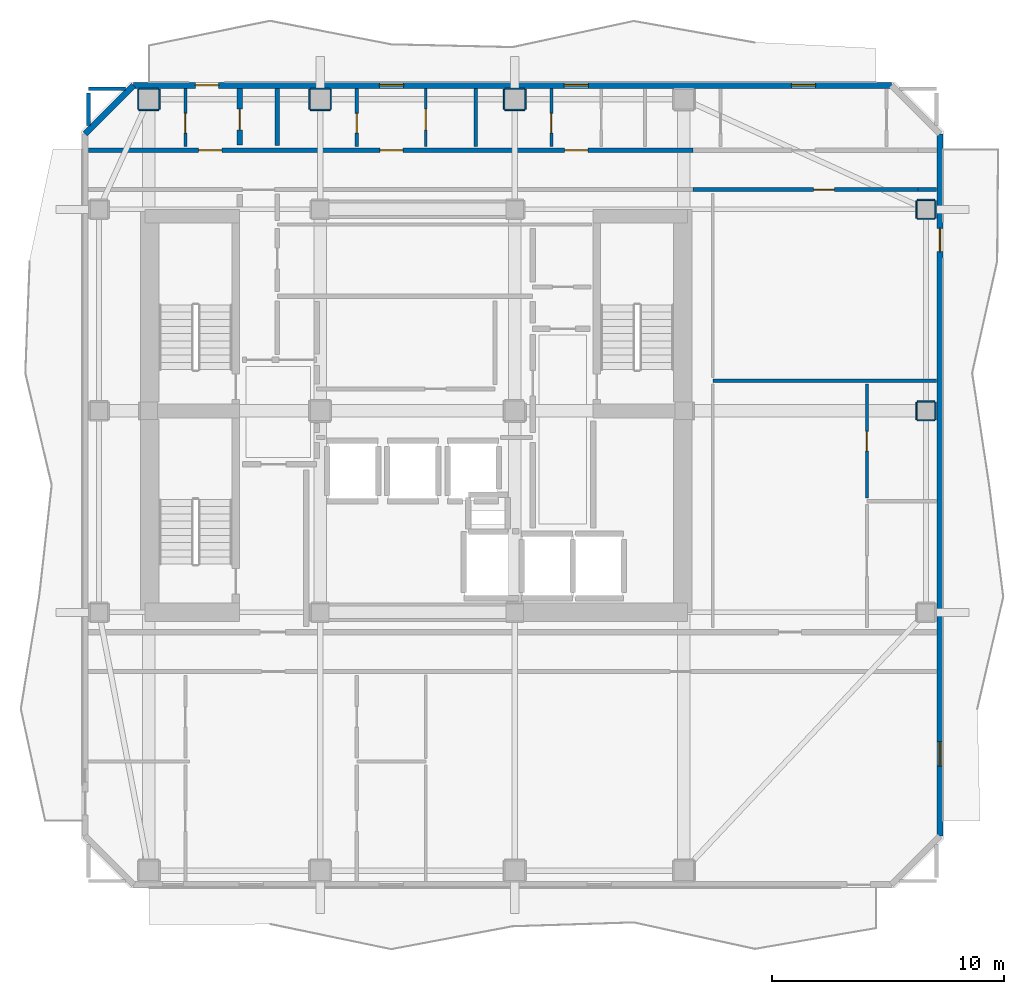
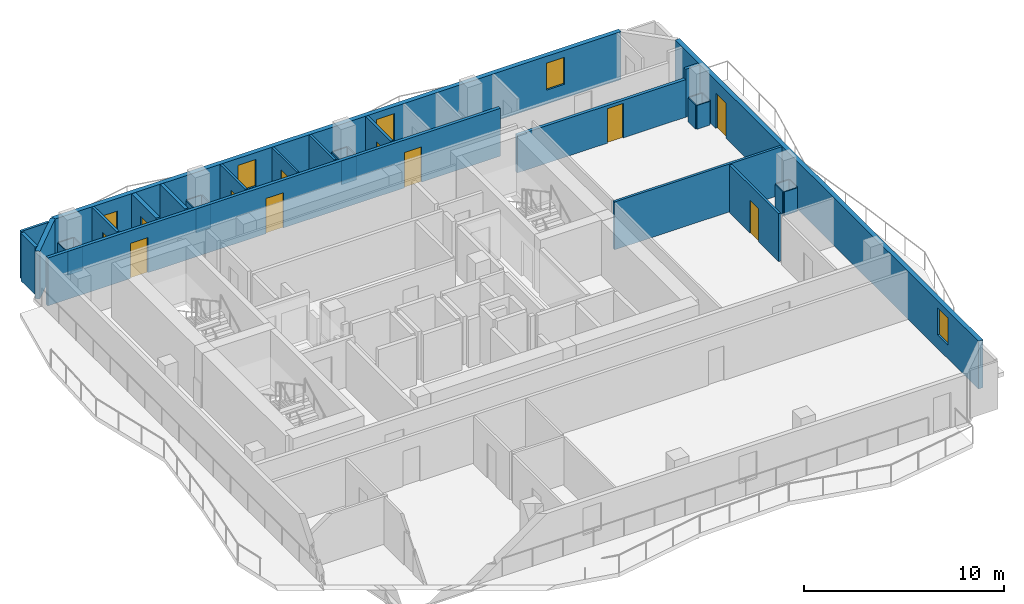
# One storey, part 5 of 9: 37 walls, 12 doors, 4 windows, 16 openings.
"""IFC4 building model written with IfcOpenShell, lengths in metres."""

from ifc_helpers import new_model, si_unit, direction, frame, frame_2d, origin, place, context, subcontext, project, spatial, rectangle, extrude, material, layer, layer_set, type_object, element, fill, save


model = new_model("IFC4")

# Units and contexts
model_context = context("Model", 3, precision=1e-05, world=origin(), true_north=direction((0.0, 1.0)))
body_context = subcontext(model_context, "Body", "Model", "MODEL_VIEW")
ifc_project = project(units=[si_unit("LENGTHUNIT", "METRE"), si_unit("AREAUNIT", "SQUARE_METRE"), si_unit("VOLUMEUNIT", "CUBIC_METRE"), si_unit("PLANEANGLEUNIT", "RADIAN"), si_unit("MASSUNIT", "GRAM", prefix="KILO")], contexts=[model_context])

# Site, building, storey
site_placement = place(None, origin())
site = spatial("IfcSite", under=ifc_project, at=site_placement, CompositionType="ELEMENT")
building_placement = place(site_placement, origin())
building = spatial("IfcBuilding", under=site, at=building_placement, Name="Solanera Arch Residences", CompositionType="ELEMENT")
storey_placement = place(building_placement, frame((0.0, 0.0, 223.360107421875)))
storey = spatial("IfcBuildingStorey", under=building, at=storey_placement, Name="L65", CompositionType="ELEMENT", Elevation=223.360107421875)

# Walls
ifc_material_1 = material(Name="Fire-Rated Gypsum Stud Partition", Category="gypsum")
ifc_layer_1 = layer(ifc_material_1, 0.06005859375)
ifc_layer_set_1 = layer_set([ifc_layer_1], Name="Fire-Rated Gypsum Stud Partition")
wall_type_1 = type_object("IfcWallType", Name="Column Acoustic Furring Wall 60", PredefinedType="PARTITIONING", material=ifc_layer_set_1)
for number, where, z_axis, x_axis, name in (
    (1, (12.97509765625, 43.693115234375, 0.0), (0.0, 0.0, 1.0), (1.0, 0.0, 0.0), "L65 Column Furring 10S"),
    (2, (12.97509765625, 44.60693359375, 0.0), (0.0, 0.0, 1.0), (1.0, 0.0, 0.0), "L65 Column Furring 10N"),
    (3, (12.943115234375, 43.72509765625, 0.0), (0.0, 0.0, 1.0), (0.0, 1.0, 0.0), "L65 Column Furring 10W"),
    (4, (13.85693359375, 43.72509765625, 0.0), (0.0, 0.0, 1.0), (0.0, 1.0, 0.0), "L65 Column Furring 10E"),
):
    element("IfcWall", number, at=place(storey_placement, frame(where, z_axis=z_axis, x_axis=x_axis)), inside=storey, type_object=wall_type_1, Name=name, PredefinedType="PARTITIONING", context=body_context, shape_type="SweptSolid", body=[
        extrude(rectangle(XDim=0.849853515625, YDim=0.06005859375, at=frame_2d((0.4248046875, 0.0))), origin(), (0.0, 0.0, 1.0), 1.449951171875),
    ])
for number, where, z_axis, x_axis, name in (
    (5, (20.375, 43.693115234375, 0.0), (0.0, 0.0, 1.0), (1.0, 0.0, 0.0), "L65 Column Furring 12S"),
    (6, (20.375, 44.60693359375, 0.0), (0.0, 0.0, 1.0), (1.0, 0.0, 0.0), "L65 Column Furring 12N"),
):
    element("IfcWall", number, at=place(storey_placement, frame(where, z_axis=z_axis, x_axis=x_axis)), inside=storey, type_object=wall_type_1, Name=name, PredefinedType="PARTITIONING", context=body_context, shape_type="SweptSolid", body=[
        extrude(rectangle(XDim=0.85009765625, YDim=0.06005859375, at=frame_2d((0.425048828125, 0.0))), origin(), (0.0, 0.0, 1.0), 1.449951171875),
    ])
for number, where, z_axis, x_axis, name in (
    (7, (20.343017578125, 43.72509765625, 0.0), (0.0, 0.0, 1.0), (0.0, 1.0, 0.0), "L65 Column Furring 12W"),
    (8, (21.257080078125, 43.72509765625, 0.0), (0.0, 0.0, 1.0), (0.0, 1.0, 0.0), "L65 Column Furring 12E"),
):
    element("IfcWall", number, at=place(storey_placement, frame(where, z_axis=z_axis, x_axis=x_axis)), inside=storey, type_object=wall_type_1, Name=name, PredefinedType="PARTITIONING", context=body_context, shape_type="SweptSolid", body=[
        extrude(rectangle(XDim=0.849853515625, YDim=0.06005859375, at=frame_2d((0.4248046875, 0.0))), origin(), (0.0, 0.0, 1.0), 1.449951171875),
    ])
for number, where, z_axis, x_axis, name in (
    (9, (28.77490234375, 43.693115234375, 0.0), (0.0, 0.0, 1.0), (1.0, 0.0, 0.0), "L65 Column Furring 14S"),
    (10, (28.77490234375, 44.60693359375, 0.0), (0.0, 0.0, 1.0), (1.0, 0.0, 0.0), "L65 Column Furring 14N"),
):
    element("IfcWall", number, at=place(storey_placement, frame(where, z_axis=z_axis, x_axis=x_axis)), inside=storey, type_object=wall_type_1, Name=name, PredefinedType="PARTITIONING", context=body_context, shape_type="SweptSolid", body=[
        extrude(rectangle(XDim=0.85009765625, YDim=0.06005859375, at=frame_2d((0.425048828125, 0.0))), origin(), (0.0, 0.0, 1.0), 1.449951171875),
    ])
for number, where, z_axis, x_axis, name in (
    (11, (28.742919921875, 43.72509765625, 0.0), (0.0, 0.0, 1.0), (0.0, 1.0, 0.0), "L65 Column Furring 14W"),
    (12, (29.656982421875, 43.72509765625, 0.0), (0.0, 0.0, 1.0), (0.0, 1.0, 0.0), "L65 Column Furring 14E"),
):
    element("IfcWall", number, at=place(storey_placement, frame(where, z_axis=z_axis, x_axis=x_axis)), inside=storey, type_object=wall_type_1, Name=name, PredefinedType="PARTITIONING", context=body_context, shape_type="SweptSolid", body=[
        extrude(rectangle(XDim=0.849853515625, YDim=0.06005859375, at=frame_2d((0.4248046875, 0.0))), origin(), (0.0, 0.0, 1.0), 1.449951171875),
    ])
for number, where, z_axis, x_axis, name in (
    (13, (46.574951171875, 30.29296875, 0.0), (0.0, 0.0, 1.0), (1.0, 0.0, 0.0), "L65 Column Furring 20S"),
    (14, (46.574951171875, 31.10693359375, 0.0), (0.0, 0.0, 1.0), (1.0, 0.0, 0.0), "L65 Column Furring 20N"),
    (15, (46.54296875, 30.324951171875, 0.0), (0.0, 0.0, 1.0), (0.0, 1.0, 0.0), "L65 Column Furring 20W"),
    (16, (47.35693359375, 30.324951171875, 0.0), (0.0, 0.0, 1.0), (0.0, 1.0, 0.0), "L65 Column Furring 20E"),
    (17, (46.574951171875, 38.992919921875, 0.0), (0.0, 0.0, 1.0), (1.0, 0.0, 0.0), "L65 Column Furring 22S"),
    (18, (46.574951171875, 39.806884765625, 0.0), (0.0, 0.0, 1.0), (1.0, 0.0, 0.0), "L65 Column Furring 22N"),
    (19, (46.54296875, 39.02490234375, 0.0), (0.0, 0.0, 1.0), (0.0, 1.0, 0.0), "L65 Column Furring 22W"),
    (20, (47.35693359375, 39.02490234375, 0.0), (0.0, 0.0, 1.0), (0.0, 1.0, 0.0), "L65 Column Furring 22E"),
):
    element("IfcWall", number, at=place(storey_placement, frame(where, z_axis=z_axis, x_axis=x_axis)), inside=storey, type_object=wall_type_1, Name=name, PredefinedType="PARTITIONING", context=body_context, shape_type="SweptSolid", body=[
        extrude(rectangle(XDim=0.75, YDim=0.06005859375, at=frame_2d((0.375, 0.0))), origin(), (0.0, 0.0, 1.0), 1.449951171875),
    ])

# Wall, opening, door
ifc_material_2 = material(Name="Autoclaved Aerated Concrete Blockwork", Category="masonry")
ifc_layer_2 = layer(ifc_material_2, 0.179931640625)
ifc_layer_set_2 = layer_set([ifc_layer_2], Name="Autoclaved Aerated Concrete Blockwork")
wall_type_2 = type_object("IfcWallType", Name="Corridor Fire Partition 180", PredefinedType="PARTITIONING", material=ifc_layer_set_2)
wall_1_placement = place(storey_placement, frame((36.888916015625, 40.25, 0.0), z_axis=(0.0, 0.0, 1.0), x_axis=(1.0, 0.0, 0.0)))
wall_1 = element("IfcWall", 21, at=wall_1_placement, inside=storey, type_object=wall_type_2, Name="L65 Interior Partition H11 2", PredefinedType="PARTITIONING", context=body_context, shape_type="SweptSolid", body=[
    extrude(rectangle(XDim=9.72216796875, YDim=0.179931640625, at=frame_2d((4.861083984375, 0.0))), origin(), (0.0, 0.0, 1.0), 2.296875),
])
opening_1_placement = place(wall_1_placement, frame((5.2119140625, 0.0, 0.0)))
opening_1 = element("IfcOpeningElement", 22, at=opening_1_placement, cuts=wall_1, Name="Opening DI-02", PredefinedType="OPENING", context=body_context, shape_type="SweptSolid", body=[
    extrude(rectangle(XDim=0.89990234375, YDim=2.10009765625, at=frame_2d((0.449951171875, 1.050048828125))), frame((0.0, 0.10009765625, 0.0), z_axis=(0.0, -1.0, 0.0), x_axis=(1.0, 0.0, 0.0)), (0.0, 0.0, 1.0), 0.1999),
])
ifc_material_3 = material(Name="Fire-Rated Architectural Hardwood", Category="wood")
door_type_1 = type_object("IfcDoorType", Name="Suite Room Swing Door DI-02", OperationType="NOTDEFINED", PredefinedType="DOOR", material=ifc_material_3)
door_1_placement = place(opening_1_placement, origin())
door_1 = element("IfcDoor", 23, at=door_1_placement, inside=storey, type_object=door_type_1, Name="DR-L65-IN-035", OperationType="SINGLE_SWING_RIGHT", OverallHeight=2.10009765625, OverallWidth=0.89990234375, PredefinedType="DOOR", context=body_context, shape_type="SweptSolid", body=[
    extrude(rectangle(XDim=0.89990234375, YDim=2.10009765625, at=frame_2d((0.449951171875, 1.050048828125))), frame((0.0, 0.02490234375, 0.0), z_axis=(0.0, -1.0, 0.0), x_axis=(1.0, 0.0, 0.0)), (0.0, 0.0, 1.0), 0.050048828125),
])
fill(opening_1, door_1)

# Wall
wall_2_placement = place(storey_placement, frame((46.611083984375, 40.25, 0.0), z_axis=(0.0, 0.0, 1.0), x_axis=(1.0, 0.0, 0.0)))
element("IfcWall", 24, at=wall_2_placement, inside=storey, type_object=wall_type_2, Name="L65 Interior Partition H11 3", PredefinedType="PARTITIONING", context=body_context, shape_type="SweptSolid", body=[
    extrude(rectangle(XDim=0.802001953125, YDim=0.179931640625, at=frame_2d((0.40087890625, 0.0))), origin(), (0.0, 0.0, 1.0), 2.919921875),
])

# Wall, openings, doors
wall_3_placement = place(storey_placement, frame((10.787109375, 41.949951171875, 0.0), z_axis=(0.0, 0.0, 1.0), x_axis=(1.0, 0.0, 0.0)))
wall_3 = element("IfcWall", 25, at=wall_3_placement, inside=storey, type_object=wall_type_2, Name="L65 Interior Partition H12 1", PredefinedType="PARTITIONING", context=body_context, shape_type="SweptSolid", body=[
    extrude(rectangle(XDim=26.101806640625, YDim=0.179931640625, at=frame_2d((13.05078125, 0.0))), origin(), (0.0, 0.0, 1.0), 2.919921875),
])
opening_2_placement = place(wall_3_placement, frame((4.76806640625, 0.0, 0.0)))
opening_2 = element("IfcOpeningElement", 26, at=opening_2_placement, cuts=wall_3, Name="Opening DI-01", PredefinedType="OPENING", context=body_context, shape_type="SweptSolid", body=[
    extrude(rectangle(XDim=1.0, YDim=2.14990234375, at=frame_2d((0.5, 1.074951171875))), frame((0.0, 0.10009765625, 0.0), z_axis=(0.0, -1.0, 0.0), x_axis=(1.0, 0.0, 0.0)), (0.0, 0.0, 1.0), 0.1999),
])
opening_3_placement = place(wall_3_placement, frame((12.587890625, 0.0, 0.0)))
opening_3 = element("IfcOpeningElement", 27, at=opening_3_placement, cuts=wall_3, Name="Opening DI-01", PredefinedType="OPENING", context=body_context, shape_type="SweptSolid", body=[
    extrude(rectangle(XDim=1.0, YDim=2.14990234375, at=frame_2d((0.5, 1.074951171875))), frame((0.0, 0.10009765625, 0.0), z_axis=(0.0, -1.0, 0.0), x_axis=(1.0, 0.0, 0.0)), (0.0, 0.0, 1.0), 0.1999),
])
opening_4_placement = place(wall_3_placement, frame((20.568115234375, 0.0, 0.0)))
opening_4 = element("IfcOpeningElement", 28, at=opening_4_placement, cuts=wall_3, Name="Opening DI-01", PredefinedType="OPENING", context=body_context, shape_type="SweptSolid", body=[
    extrude(rectangle(XDim=1.0, YDim=2.14990234375, at=frame_2d((0.5, 1.074951171875))), frame((0.0, 0.10009765625, 0.0), z_axis=(0.0, -1.0, 0.0), x_axis=(1.0, 0.0, 0.0)), (0.0, 0.0, 1.0), 0.1999),
])
ifc_material_4 = material(Name="Fire-Rated Architectural Hardwood", Category="wood")
door_type_2 = type_object("IfcDoorType", Name="Unit Entrance Fire Door DI-01", OperationType="NOTDEFINED", PredefinedType="DOOR", material=ifc_material_4)
door_2_placement = place(opening_2_placement, origin())
door_2 = element("IfcDoor", 29, at=door_2_placement, inside=storey, type_object=door_type_2, Name="DR-L65-IN-020", OperationType="SINGLE_SWING_LEFT", OverallHeight=2.14990234375, OverallWidth=1.0, PredefinedType="DOOR", context=body_context, shape_type="SweptSolid", body=[
    extrude(rectangle(XDim=1.0, YDim=2.14990234375, at=frame_2d((0.5, 1.074951171875))), frame((0.0, 0.02490234375, 0.0), z_axis=(0.0, -1.0, 0.0), x_axis=(1.0, 0.0, 0.0)), (0.0, 0.0, 1.0), 0.050048828125),
])
fill(opening_2, door_2)
door_3_placement = place(opening_3_placement, origin())
door_3 = element("IfcDoor", 30, at=door_3_placement, inside=storey, type_object=door_type_2, Name="DR-L65-IN-023", OperationType="SINGLE_SWING_RIGHT", OverallHeight=2.14990234375, OverallWidth=1.0, PredefinedType="DOOR", context=body_context, shape_type="SweptSolid", body=[
    extrude(rectangle(XDim=1.0, YDim=2.14990234375, at=frame_2d((0.5, 1.074951171875))), frame((0.0, 0.02490234375, 0.0), z_axis=(0.0, -1.0, 0.0), x_axis=(1.0, 0.0, 0.0)), (0.0, 0.0, 1.0), 0.050048828125),
])
fill(opening_3, door_3)
door_4_placement = place(opening_4_placement, origin())
door_4 = element("IfcDoor", 31, at=door_4_placement, inside=storey, type_object=door_type_2, Name="DR-L65-IN-026", OperationType="SINGLE_SWING_LEFT", OverallHeight=2.14990234375, OverallWidth=1.0, PredefinedType="DOOR", context=body_context, shape_type="SweptSolid", body=[
    extrude(rectangle(XDim=1.0, YDim=2.14990234375, at=frame_2d((0.5, 1.074951171875))), frame((0.0, 0.02490234375, 0.0), z_axis=(0.0, -1.0, 0.0), x_axis=(1.0, 0.0, 0.0)), (0.0, 0.0, 1.0), 0.050048828125),
])
fill(opening_4, door_4)

# Walls
wall_4_placement = place(storey_placement, frame((10.800048828125, 43.010986328125, 0.0), z_axis=(0.0, 0.0, 1.0), x_axis=(0.0, 1.0, 0.0)))
element("IfcWall", 32, at=wall_4_placement, inside=storey, type_object=wall_type_2, Name="L65 Interior Partition V10", PredefinedType="PARTITIONING", context=body_context, shape_type="SweptSolid", body=[
    extrude(rectangle(XDim=1.4208984375, YDim=0.179931640625, at=frame_2d((0.71044921875, 0.0))), origin(), (0.0, 0.0, 1.0), 2.919921875),
])
ifc_material_5 = material(Name="Precast Concrete C35/45", Category="concrete")
ifc_layer_3 = layer(ifc_material_5, 0.260009765625)
ifc_layer_set_3 = layer_set([ifc_layer_3], Name="Precast Concrete C35/45")
wall_type_3 = type_object("IfcWallType", Name="Exterior Wall Precast Masonry-Frame 260", PredefinedType="STANDARD", material=ifc_layer_set_3)
wall_5_placement = place(storey_placement, frame((10.64501953125, 42.655029296875, 0.0), z_axis=(0.0, 0.0, 1.0), x_axis=(0.707147883682, 0.707065676302, 0.0)))
element("IfcWall", 33, at=wall_5_placement, inside=storey, type_object=wall_type_3, Name="L65 Tower Exterior Precast Masonry-Frame Wall CH1", PredefinedType="STANDARD", context=body_context, shape_type="SweptSolid", body=[
    extrude(rectangle(XDim=2.9697265625, YDim=0.260009765625, at=frame_2d((1.48486328125, 0.0))), origin(), (0.0, 0.0, 1.0), 2.919921875),
])

# Wall, openings, door, windows
wall_6_placement = place(storey_placement, frame((12.7451171875, 44.7548828125, 0.0), z_axis=(0.0, 0.0, 1.0), x_axis=(1.0, 0.0, 0.0)))
wall_6 = element("IfcWall", 34, at=wall_6_placement, inside=storey, type_object=wall_type_3, Name="L65 Tower Exterior Precast Masonry-Frame Wall N", PredefinedType="STANDARD", context=body_context, shape_type="SweptSolid", body=[
    extrude(rectangle(XDim=32.7099609375, YDim=0.260009765625, at=frame_2d((16.35498046875, 0.0))), origin(), (0.0, 0.0, 1.0), 2.919921875),
])
opening_5_placement = place(wall_6_placement, frame((2.6650390625, 0.0, 0.0)))
opening_5 = element("IfcOpeningElement", 35, at=opening_5_placement, cuts=wall_6, Name="Opening DB-01", PredefinedType="OPENING", context=body_context, shape_type="SweptSolid", body=[
    extrude(rectangle(XDim=1.0, YDim=2.14990234375, at=frame_2d((0.5, 1.074951171875))), frame((0.0, 0.139892578125, 0.0), z_axis=(0.0, -1.0, 0.0), x_axis=(1.0, 0.0, 0.0)), (0.0, 0.0, 1.0), 0.28),
])
opening_6_placement = place(wall_6_placement, frame((10.60498046875, 0.0, 0.85009765625)))
opening_6 = element("IfcOpeningElement", 36, at=opening_6_placement, cuts=wall_6, Name="Opening W-07", PredefinedType="OPENING", context=body_context, shape_type="SweptSolid", body=[
    extrude(rectangle(XDim=1.050048828125, YDim=1.64990234375, at=frame_2d((0.52490234375, 0.824951171875))), frame((0.0, 0.139892578125, 0.0), z_axis=(0.0, -1.0, 0.0), x_axis=(1.0, 0.0, 0.0)), (0.0, 0.0, 1.0), 0.28),
])
opening_7_placement = place(wall_6_placement, frame((18.5849609375, 0.0, 0.85009765625)))
opening_7 = element("IfcOpeningElement", 37, at=opening_7_placement, cuts=wall_6, Name="Opening W-07", PredefinedType="OPENING", context=body_context, shape_type="SweptSolid", body=[
    extrude(rectangle(XDim=1.050048828125, YDim=1.64990234375, at=frame_2d((0.52490234375, 0.824951171875))), frame((0.0, 0.139892578125, 0.0), z_axis=(0.0, -1.0, 0.0), x_axis=(1.0, 0.0, 0.0)), (0.0, 0.0, 1.0), 0.28),
])
opening_8_placement = place(wall_6_placement, frame((28.39501953125, 0.0, 0.85009765625)))
opening_8 = element("IfcOpeningElement", 38, at=opening_8_placement, cuts=wall_6, Name="Opening W-07", PredefinedType="OPENING", context=body_context, shape_type="SweptSolid", body=[
    extrude(rectangle(XDim=1.050048828125, YDim=1.64990234375, at=frame_2d((0.52490234375, 0.824951171875))), frame((0.0, 0.139892578125, 0.0), z_axis=(0.0, -1.0, 0.0), x_axis=(1.0, 0.0, 0.0)), (0.0, 0.0, 1.0), 0.28),
])
ifc_material_6 = material(Name="Anodised Aluminium Alloy 6063-T6", Category="aluminium")
door_type_3 = type_object("IfcDoorType", Name="Glazed Balcony Swing Door DB-01", OperationType="NOTDEFINED", PredefinedType="DOOR", material=ifc_material_6)
door_5_placement = place(opening_5_placement, origin())
door_5 = element("IfcDoor", 39, at=door_5_placement, inside=storey, type_object=door_type_3, Name="DR-L65-OUT-02", OperationType="SINGLE_SWING_RIGHT", OverallHeight=2.14990234375, OverallWidth=1.0, PredefinedType="DOOR", context=body_context, shape_type="SweptSolid", body=[
    extrude(rectangle(XDim=1.0, YDim=2.14990234375, at=frame_2d((0.5, 1.074951171875))), frame((0.0, 0.02490234375, 0.0), z_axis=(0.0, -1.0, 0.0), x_axis=(1.0, 0.0, 0.0)), (0.0, 0.0, 1.0), 0.050048828125),
])
fill(opening_5, door_5)
ifc_material_7 = material(Name="Double Glazed Low-E Laminated Glass", Category="glass")
window_type = type_object("IfcWindowType", Name="Punched Window W-07", PartitioningType="SINGLE_PANEL", PredefinedType="WINDOW", material=ifc_material_7)
window_1_placement = place(opening_6_placement, origin())
window_1 = element("IfcWindow", 40, at=window_1_placement, inside=storey, type_object=window_type, Name="L65 6503-LIV Punched Window", OverallHeight=1.64990234375, OverallWidth=1.050048828125, PartitioningType="SINGLE_PANEL", PredefinedType="WINDOW", context=body_context, shape_type="SweptSolid", body=[
    extrude(rectangle(XDim=1.050048828125, YDim=1.64990234375, at=frame_2d((0.52490234375, 0.824951171875))), frame((0.0, 0.030029296875, 0.0), z_axis=(0.0, -1.0, 0.0), x_axis=(1.0, 0.0, 0.0)), (0.0, 0.0, 1.0), 0.06005859375),
])
fill(opening_6, window_1)
window_2_placement = place(opening_7_placement, origin())
window_2 = element("IfcWindow", 41, at=window_2_placement, inside=storey, type_object=window_type, Name="L65 6504-LIV Punched Window", OverallHeight=1.64990234375, OverallWidth=1.050048828125, PartitioningType="SINGLE_PANEL", PredefinedType="WINDOW", context=body_context, shape_type="SweptSolid", body=[
    extrude(rectangle(XDim=1.050048828125, YDim=1.64990234375, at=frame_2d((0.52490234375, 0.824951171875))), frame((0.0, 0.030029296875, 0.0), z_axis=(0.0, -1.0, 0.0), x_axis=(1.0, 0.0, 0.0)), (0.0, 0.0, 1.0), 0.06005859375),
])
fill(opening_7, window_2)
window_3_placement = place(opening_8_placement, origin())
window_3 = element("IfcWindow", 42, at=window_3_placement, inside=storey, type_object=window_type, Name="L65 6505-LIV Punched Window", OverallHeight=1.64990234375, OverallWidth=1.050048828125, PartitioningType="SINGLE_PANEL", PredefinedType="WINDOW", context=body_context, shape_type="SweptSolid", body=[
    extrude(rectangle(XDim=1.050048828125, YDim=1.64990234375, at=frame_2d((0.52490234375, 0.824951171875))), frame((0.0, 0.030029296875, 0.0), z_axis=(0.0, -1.0, 0.0), x_axis=(1.0, 0.0, 0.0)), (0.0, 0.0, 1.0), 0.06005859375),
])
fill(opening_8, window_3)

# Wall, openings, door, window
wall_7_placement = place(storey_placement, frame((47.554931640625, 42.655029296875, 0.0), z_axis=(0.0, 0.0, 1.0), x_axis=(0.0, -1.0, 0.0)))
wall_7 = element("IfcWall", 43, at=wall_7_placement, inside=storey, type_object=wall_type_3, Name="L65 Tower Exterior Precast Masonry-Frame Wall E", PredefinedType="STANDARD", context=body_context, shape_type="SweptSolid", body=[
    extrude(rectangle(XDim=30.31005859375, YDim=0.260009765625, at=frame_2d((15.155029296875, 0.0))), origin(), (0.0, 0.0, 1.0), 2.919921875),
])
opening_9_placement = place(wall_7_placement, frame((4.08203125, 0.0, 0.0)))
opening_9 = element("IfcOpeningElement", 44, at=opening_9_placement, cuts=wall_7, Name="Opening DB-01", PredefinedType="OPENING", context=body_context, shape_type="SweptSolid", body=[
    extrude(rectangle(XDim=1.0, YDim=2.14990234375, at=frame_2d((0.5, 1.074951171875))), frame((0.0, 0.139892578125, 0.0), z_axis=(0.0, -1.0, 0.0), x_axis=(1.0, 0.0, 0.0)), (0.0, 0.0, 1.0), 0.28),
])
opening_10_placement = place(wall_7_placement, frame((26.238037109375, 0.0, 0.85009765625)))
opening_10 = element("IfcOpeningElement", 45, at=opening_10_placement, cuts=wall_7, Name="Opening W-07", PredefinedType="OPENING", context=body_context, shape_type="SweptSolid", body=[
    extrude(rectangle(XDim=1.050048828125, YDim=1.64990234375, at=frame_2d((0.52490234375, 0.824951171875))), frame((0.0, 0.139892578125, 0.0), z_axis=(0.0, -1.0, 0.0), x_axis=(1.0, 0.0, 0.0)), (0.0, 0.0, 1.0), 0.28),
])
door_6_placement = place(opening_9_placement, origin())
door_6 = element("IfcDoor", 46, at=door_6_placement, inside=storey, type_object=door_type_3, Name="DR-L65-OUT-03", OperationType="SINGLE_SWING_LEFT", OverallHeight=2.14990234375, OverallWidth=1.0, PredefinedType="DOOR", context=body_context, shape_type="SweptSolid", body=[
    extrude(rectangle(XDim=1.0, YDim=2.14990234375, at=frame_2d((0.5, 1.074951171875))), frame((0.0, 0.02490234375, 0.0), z_axis=(0.0, -1.0, 0.0), x_axis=(1.0, 0.0, 0.0)), (0.0, 0.0, 1.0), 0.050048828125),
])
fill(opening_9, door_6)
window_4_placement = place(opening_10_placement, origin())
window_4 = element("IfcWindow", 47, at=window_4_placement, inside=storey, type_object=window_type, Name="L65 AMN-LNG Punched Window", OverallHeight=1.64990234375, OverallWidth=1.050048828125, PartitioningType="SINGLE_PANEL", PredefinedType="WINDOW", context=body_context, shape_type="SweptSolid", body=[
    extrude(rectangle(XDim=1.050048828125, YDim=1.64990234375, at=frame_2d((0.52490234375, 0.824951171875))), frame((0.0, 0.030029296875, 0.0), z_axis=(0.0, -1.0, 0.0), x_axis=(1.0, 0.0, 0.0)), (0.0, 0.0, 1.0), 0.06005859375),
])
fill(opening_10, window_4)

# Wall
ifc_material_8 = material(Name="Autoclaved Aerated Concrete Blockwork", Category="masonry")
ifc_layer_4 = layer(ifc_material_8, 0.199951171875)
ifc_layer_set_4 = layer_set([ifc_layer_4], Name="Autoclaved Aerated Concrete Blockwork")
wall_type_4 = type_object("IfcWallType", Name="Party Wall Acoustic 200", PredefinedType="PARTITIONING", material=ifc_layer_set_4)
wall_8_placement = place(storey_placement, frame((18.949951171875, 42.14794921875, 0.0), z_axis=(0.0, 0.0, 1.0), x_axis=(0.0, 1.0, 0.0)))
element("IfcWall", 48, at=wall_8_placement, inside=storey, type_object=wall_type_4, Name="L65 Interior Partition V8", PredefinedType="PARTITIONING", context=body_context, shape_type="SweptSolid", body=[
    extrude(rectangle(XDim=2.465087890625, YDim=0.199951171875, at=frame_2d((1.232421875, 0.0))), origin(), (0.0, 0.0, 1.0), 2.919921875),
])

# Wall, opening, door
ifc_material_9 = material(Name="Autoclaved Aerated Concrete Blockwork", Category="masonry")
ifc_layer_5 = layer(ifc_material_9, 0.239990234375)
ifc_layer_set_5 = layer_set([ifc_layer_5], Name="Autoclaved Aerated Concrete Blockwork")
wall_type_5 = type_object("IfcWallType", Name="Shaft Wall Fire-Rated 240", PredefinedType="PARTITIONING", material=ifc_layer_set_5)
wall_9_placement = place(storey_placement, frame((17.320068359375, 42.16796875, 0.0), z_axis=(0.0, 0.0, 1.0), x_axis=(0.0, 1.0, 0.0)))
wall_9 = element("IfcWall", 49, at=wall_9_placement, inside=storey, type_object=wall_type_5, Name="L65 Interior Partition V2", PredefinedType="PARTITIONING", context=body_context, shape_type="SweptSolid", body=[
    extrude(rectangle(XDim=2.445068359375, YDim=0.239990234375, at=frame_2d((1.22265625, 0.0))), origin(), (0.0, 0.0, 1.0), 2.919921875),
])
opening_11_placement = place(wall_9_placement, frame((0.656982421875, 0.0, 0.0)))
opening_11 = element("IfcOpeningElement", 50, at=opening_11_placement, cuts=wall_9, Name="Opening DI-02", PredefinedType="OPENING", context=body_context, shape_type="SweptSolid", body=[
    extrude(rectangle(XDim=0.89990234375, YDim=2.10009765625, at=frame_2d((0.449951171875, 1.050048828125))), frame((0.0, 0.1298828125, 0.0), z_axis=(0.0, -1.0, 0.0), x_axis=(1.0, 0.0, 0.0)), (0.0, 0.0, 1.0), 0.26),
])
door_7_placement = place(opening_11_placement, origin())
door_7 = element("IfcDoor", 51, at=door_7_placement, inside=storey, type_object=door_type_1, Name="DR-L65-IN-022", OperationType="SINGLE_SWING_LEFT", OverallHeight=2.10009765625, OverallWidth=0.89990234375, PredefinedType="DOOR", context=body_context, shape_type="SweptSolid", body=[
    extrude(rectangle(XDim=0.89990234375, YDim=2.10009765625, at=frame_2d((0.449951171875, 1.050048828125))), frame((0.0, 0.02490234375, 0.0), z_axis=(0.0, -1.0, 0.0), x_axis=(1.0, 0.0, 0.0)), (0.0, 0.0, 1.0), 0.050048828125),
])
fill(opening_11, door_7)

ifc_material_10 = material(Name="Fire-Rated Gypsum Stud Partition", Category="gypsum")
ifc_layer_6 = layer(ifc_material_10, 0.1201171875)
ifc_layer_set_6 = layer_set([ifc_layer_6], Name="Fire-Rated Gypsum Stud Partition")
wall_type_6 = type_object("IfcWallType", Name="Unit Drywall Partition 120", PredefinedType="PARTITIONING", material=ifc_layer_set_6)
wall_10_placement = place(storey_placement, frame((25.35888671875, 42.10791015625, 0.0), z_axis=(0.0, 0.0, 1.0), x_axis=(0.0, 1.0, 0.0)))
wall_10 = element("IfcWall", 52, at=wall_10_placement, inside=storey, type_object=wall_type_6, Name="L65 Interior Partition V23", PredefinedType="PARTITIONING", context=body_context, shape_type="SweptSolid", body=[
    extrude(rectangle(XDim=2.505126953125, YDim=0.1201171875, at=frame_2d((1.25244140625, 0.0))), origin(), (0.0, 0.0, 1.0), 2.919921875),
])
opening_12_placement = place(wall_10_placement, frame((0.717041015625, 0.0, 0.0)))
opening_12 = element("IfcOpeningElement", 53, at=opening_12_placement, cuts=wall_10, Name="Opening DI-02", PredefinedType="OPENING", context=body_context, shape_type="SweptSolid", body=[
    extrude(rectangle(XDim=0.89990234375, YDim=2.10009765625, at=frame_2d((0.449951171875, 1.050048828125))), frame((0.0, 0.070068359375, 0.0), z_axis=(0.0, -1.0, 0.0), x_axis=(1.0, 0.0, 0.0)), (0.0, 0.0, 1.0), 0.1401),
])
door_8_placement = place(opening_12_placement, origin())
door_8 = element("IfcDoor", 54, at=door_8_placement, inside=storey, type_object=door_type_1, Name="DR-L65-IN-025", OperationType="SINGLE_SWING_RIGHT", OverallHeight=2.10009765625, OverallWidth=0.89990234375, PredefinedType="DOOR", context=body_context, shape_type="SweptSolid", body=[
    extrude(rectangle(XDim=0.89990234375, YDim=2.10009765625, at=frame_2d((0.449951171875, 1.050048828125))), frame((0.0, 0.02490234375, 0.0), z_axis=(0.0, -1.0, 0.0), x_axis=(1.0, 0.0, 0.0)), (0.0, 0.0, 1.0), 0.050048828125),
])
fill(opening_12, door_8)

# Walls
ifc_material_11 = material(Name="Autoclaved Aerated Concrete Blockwork", Category="masonry")
ifc_layer_7 = layer(ifc_material_11, 0.139892578125)
ifc_layer_set_7 = layer_set([ifc_layer_7], Name="Autoclaved Aerated Concrete Blockwork")
wall_type_7 = type_object("IfcWallType", Name="Wet-Room Partition 140", PredefinedType="PARTITIONING", material=ifc_layer_set_7)
wall_11_placement = place(storey_placement, frame((37.75, 32.0, 0.0), z_axis=(0.0, 0.0, 1.0), x_axis=(1.0, 0.0, 0.0)))
element("IfcWall", 55, at=wall_11_placement, inside=storey, type_object=wall_type_7, Name="L65 Interior Partition H16", PredefinedType="PARTITIONING", context=body_context, shape_type="SweptSolid", body=[
    extrude(rectangle(XDim=9.6630859375, YDim=0.139892578125, at=frame_2d((4.83154296875, 0.0))), origin(), (0.0, 0.0, 1.0), 2.919921875),
])
wall_12_placement = place(storey_placement, frame((10.800048828125, 44.60009765625, 0.0), z_axis=(0.0, 0.0, 1.0), x_axis=(1.0, 0.0, 0.0)))
element("IfcWall", 56, at=wall_12_placement, inside=storey, type_object=wall_type_7, Name="L65 Interior Partition H17 1", PredefinedType="PARTITIONING", context=body_context, shape_type="SweptSolid", body=[
    extrude(rectangle(XDim=1.5888671875, YDim=0.139892578125, at=frame_2d((0.79443359375, 0.0))), origin(), (0.0, 0.0, 1.0), 2.919921875),
])

# Wall, opening, door
wall_13_placement = place(storey_placement, frame((14.97998046875, 42.117919921875, 0.0), z_axis=(0.0, 0.0, 1.0), x_axis=(0.0, 1.0, 0.0)))
wall_13 = element("IfcWall", 57, at=wall_13_placement, inside=storey, type_object=wall_type_7, Name="L65 Interior Partition V14", PredefinedType="PARTITIONING", context=body_context, shape_type="SweptSolid", body=[
    extrude(rectangle(XDim=2.4951171875, YDim=0.139892578125, at=frame_2d((1.24755859375, 0.0))), origin(), (0.0, 0.0, 1.0), 2.919921875),
])
opening_13_placement = place(wall_13_placement, frame((0.56689453125, 0.0, 0.0)))
opening_13 = element("IfcOpeningElement", 58, at=opening_13_placement, cuts=wall_13, Name="Opening DI-05", PredefinedType="OPENING", context=body_context, shape_type="SweptSolid", body=[
    extrude(rectangle(XDim=0.860107421875, YDim=2.02001953125, at=frame_2d((0.43017578125, 1.010009765625))), frame((0.0, 0.079833984375, 0.0), z_axis=(0.0, -1.0, 0.0), x_axis=(1.0, 0.0, 0.0)), (0.0, 0.0, 1.0), 0.1599),
])
ifc_material_12 = material(Name="Fire-Rated Architectural Hardwood", Category="wood")
door_type_4 = type_object("IfcDoorType", Name="Bathroom Swing Door DI-05", OperationType="NOTDEFINED", PredefinedType="DOOR", material=ifc_material_12)
door_9_placement = place(opening_13_placement, origin())
door_9 = element("IfcDoor", 59, at=door_9_placement, inside=storey, type_object=door_type_4, Name="DR-L65-IN-021", OperationType="SINGLE_SWING_RIGHT", OverallHeight=2.02001953125, OverallWidth=0.860107421875, PredefinedType="DOOR", context=body_context, shape_type="SweptSolid", body=[
    extrude(rectangle(XDim=0.860107421875, YDim=2.02001953125, at=frame_2d((0.43017578125, 1.010009765625))), frame((0.0, 0.02490234375, 0.0), z_axis=(0.0, -1.0, 0.0), x_axis=(1.0, 0.0, 0.0)), (0.0, 0.0, 1.0), 0.050048828125),
])
fill(opening_13, door_9)

wall_14_placement = place(storey_placement, frame((22.3798828125, 42.117919921875, 0.0), z_axis=(0.0, 0.0, 1.0), x_axis=(0.0, 1.0, 0.0)))
wall_14 = element("IfcWall", 60, at=wall_14_placement, inside=storey, type_object=wall_type_7, Name="L65 Interior Partition V16", PredefinedType="PARTITIONING", context=body_context, shape_type="SweptSolid", body=[
    extrude(rectangle(XDim=2.4951171875, YDim=0.139892578125, at=frame_2d((1.24755859375, 0.0))), origin(), (0.0, 0.0, 1.0), 2.919921875),
])
opening_14_placement = place(wall_14_placement, frame((0.56689453125, 0.0, 0.0)))
opening_14 = element("IfcOpeningElement", 61, at=opening_14_placement, cuts=wall_14, Name="Opening DI-05", PredefinedType="OPENING", context=body_context, shape_type="SweptSolid", body=[
    extrude(rectangle(XDim=0.860107421875, YDim=2.02001953125, at=frame_2d((0.43017578125, 1.010009765625))), frame((0.0, 0.079833984375, 0.0), z_axis=(0.0, -1.0, 0.0), x_axis=(1.0, 0.0, 0.0)), (0.0, 0.0, 1.0), 0.1599),
])
door_10_placement = place(opening_14_placement, origin())
door_10 = element("IfcDoor", 62, at=door_10_placement, inside=storey, type_object=door_type_4, Name="DR-L65-IN-024", OperationType="SINGLE_SWING_LEFT", OverallHeight=2.02001953125, OverallWidth=0.860107421875, PredefinedType="DOOR", context=body_context, shape_type="SweptSolid", body=[
    extrude(rectangle(XDim=0.860107421875, YDim=2.02001953125, at=frame_2d((0.43017578125, 1.010009765625))), frame((0.0, 0.02490234375, 0.0), z_axis=(0.0, -1.0, 0.0), x_axis=(1.0, 0.0, 0.0)), (0.0, 0.0, 1.0), 0.050048828125),
])
fill(opening_14, door_10)

# Wall
wall_15_placement = place(storey_placement, frame((27.52001953125, 42.117919921875, 0.0), z_axis=(0.0, 0.0, 1.0), x_axis=(0.0, 1.0, 0.0)))
element("IfcWall", 63, at=wall_15_placement, inside=storey, type_object=wall_type_7, Name="L65 Interior Partition V17", PredefinedType="PARTITIONING", context=body_context, shape_type="SweptSolid", body=[
    extrude(rectangle(XDim=2.4951171875, YDim=0.139892578125, at=frame_2d((1.24755859375, 0.0))), origin(), (0.0, 0.0, 1.0), 2.919921875),
])

# Wall, opening, door
wall_16_placement = place(storey_placement, frame((30.780029296875, 42.117919921875, 0.0), z_axis=(0.0, 0.0, 1.0), x_axis=(0.0, 1.0, 0.0)))
wall_16 = element("IfcWall", 64, at=wall_16_placement, inside=storey, type_object=wall_type_7, Name="L65 Interior Partition V18", PredefinedType="PARTITIONING", context=body_context, shape_type="SweptSolid", body=[
    extrude(rectangle(XDim=2.4951171875, YDim=0.139892578125, at=frame_2d((1.24755859375, 0.0))), origin(), (0.0, 0.0, 1.0), 2.919921875),
])
opening_15_placement = place(wall_16_placement, frame((0.56689453125, 0.0, 0.0)))
opening_15 = element("IfcOpeningElement", 65, at=opening_15_placement, cuts=wall_16, Name="Opening DI-05", PredefinedType="OPENING", context=body_context, shape_type="SweptSolid", body=[
    extrude(rectangle(XDim=0.860107421875, YDim=2.02001953125, at=frame_2d((0.43017578125, 1.010009765625))), frame((0.0, 0.079833984375, 0.0), z_axis=(0.0, -1.0, 0.0), x_axis=(1.0, 0.0, 0.0)), (0.0, 0.0, 1.0), 0.1599),
])
door_11_placement = place(opening_15_placement, origin())
door_11 = element("IfcDoor", 66, at=door_11_placement, inside=storey, type_object=door_type_4, Name="DR-L65-IN-027", OperationType="SINGLE_SWING_RIGHT", OverallHeight=2.02001953125, OverallWidth=0.860107421875, PredefinedType="DOOR", context=body_context, shape_type="SweptSolid", body=[
    extrude(rectangle(XDim=0.860107421875, YDim=2.02001953125, at=frame_2d((0.43017578125, 1.010009765625))), frame((0.0, 0.02490234375, 0.0), z_axis=(0.0, -1.0, 0.0), x_axis=(1.0, 0.0, 0.0)), (0.0, 0.0, 1.0), 0.050048828125),
])
fill(opening_15, door_11)

wall_17_placement = place(storey_placement, frame((44.39990234375, 26.947998046875, 0.0), z_axis=(0.0, 0.0, 1.0), x_axis=(0.0, 1.0, 0.0)))
wall_17 = element("IfcWall", 67, at=wall_17_placement, inside=storey, type_object=wall_type_7, Name="L65 Interior Partition V21 2", PredefinedType="PARTITIONING", context=body_context, shape_type="SweptSolid", body=[
    extrude(rectangle(XDim=4.904052734375, YDim=0.139892578125, at=frame_2d((2.4521484375, 0.0))), origin(), (0.0, 0.0, 1.0), 2.919921875),
])
opening_16_placement = place(wall_17_placement, frame((2.009033203125, 0.0, 0.0)))
opening_16 = element("IfcOpeningElement", 68, at=opening_16_placement, cuts=wall_17, Name="Opening DI-05", PredefinedType="OPENING", context=body_context, shape_type="SweptSolid", body=[
    extrude(rectangle(XDim=0.860107421875, YDim=2.02001953125, at=frame_2d((0.43017578125, 1.010009765625))), frame((0.0, 0.079833984375, 0.0), z_axis=(0.0, -1.0, 0.0), x_axis=(1.0, 0.0, 0.0)), (0.0, 0.0, 1.0), 0.1599),
])
door_12_placement = place(opening_16_placement, origin())
door_12 = element("IfcDoor", 69, at=door_12_placement, inside=storey, type_object=door_type_4, Name="DR-L65-IN-034", OperationType="SINGLE_SWING_LEFT", OverallHeight=2.02001953125, OverallWidth=0.860107421875, PredefinedType="DOOR", context=body_context, shape_type="SweptSolid", body=[
    extrude(rectangle(XDim=0.860107421875, YDim=2.02001953125, at=frame_2d((0.43017578125, 1.010009765625))), frame((0.0, 0.02490234375, 0.0), z_axis=(0.0, -1.0, 0.0), x_axis=(1.0, 0.0, 0.0)), (0.0, 0.0, 1.0), 0.050048828125),
])
fill(opening_16, door_12)

save(model, "model.ifc")
